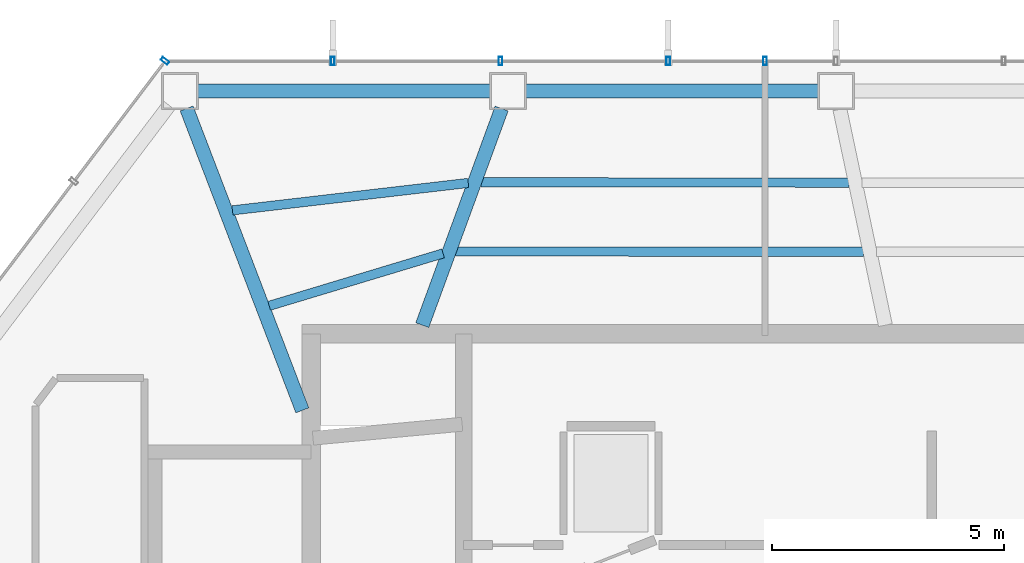
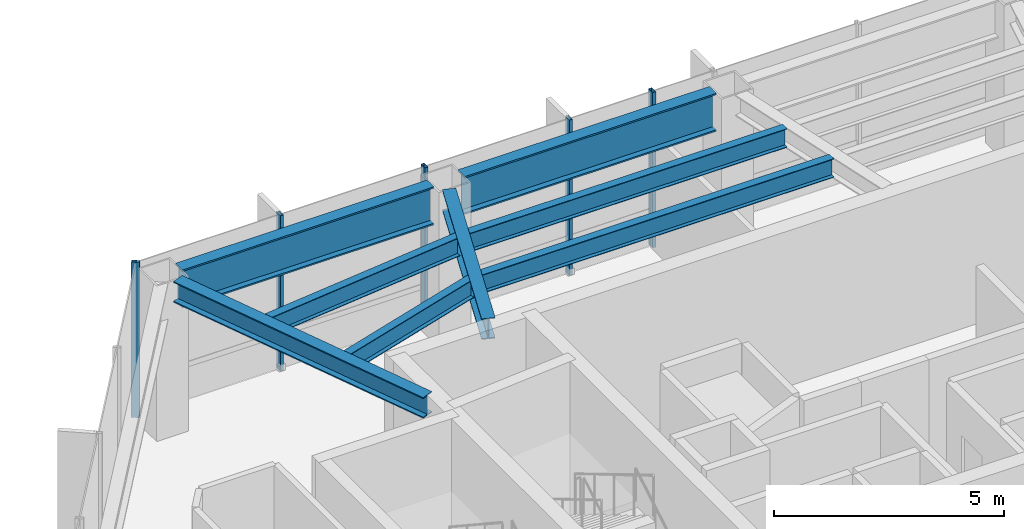
# One storey, part 11 of 27: 8 beams, 5 members, 2 elements without a shape of their own.
"""IFC4 building model written with IfcOpenShell, lengths in metres."""

from ifc_helpers import new_model, si_unit, direction, frame, origin, origin_2d, place, context, subcontext, project, spatial, hollow_rectangle, i_section, extrude, material, layer, layer_set, material_profile, profile_set, type_object, element, aggregate, save


model = new_model("IFC4")

# Units and contexts
model_context = context("Model", 3, precision=1e-05, world=origin(), true_north=direction((0.0, 1.0)))
body_context = subcontext(model_context, "Body", "Model", "MODEL_VIEW")
ifc_project = project(units=[si_unit("LENGTHUNIT", "METRE"), si_unit("AREAUNIT", "SQUARE_METRE"), si_unit("VOLUMEUNIT", "CUBIC_METRE"), si_unit("PLANEANGLEUNIT", "RADIAN"), si_unit("MASSUNIT", "GRAM", prefix="KILO")], contexts=[model_context])

# Site, building, storey
site_placement = place(None, origin())
site = spatial("IfcSite", under=ifc_project, at=site_placement, CompositionType="ELEMENT")
building_placement = place(site_placement, origin())
building = spatial("IfcBuilding", under=site, at=building_placement, Name="Zarrinselat Tower", CompositionType="ELEMENT")
storey_placement = place(building_placement, frame((0.0, 0.0, 114.580078125)))
storey = spatial("IfcBuildingStorey", under=building, at=storey_placement, Name="L27", CompositionType="ELEMENT", Elevation=114.580078125)

# Beams
ifc_material_1 = material(Name="Steel S355J2", Category="steel")
ifc_material_profile_1 = material_profile(ifc_material_1, i_section(OverallWidth=0.300048828125, OverallDepth=0.550048828125, WebThickness=0.014892578125, FlangeThickness=0.029052734375, at=origin_2d()), Name="HEB 550")
ifc_profile_set_1 = profile_set([ifc_material_profile_1], Name="Steel S355J2")
beam_type_1 = type_object("IfcBeamType", Name="BM-HEB550", PredefinedType="BEAM", material=ifc_profile_set_1)
beam_1_placement = place(storey_placement, frame((31.0, 43.639892578125, 3.844970703125), z_axis=(0.343942101957, 0.938990857517, 0.0), x_axis=(-0.938990857517, 0.343942101957, 0.0)))
element("IfcBeam", 1, at=beam_1_placement, inside=storey, type_object=beam_type_1, Name="L27 Radial Primary Girder RG04", PredefinedType="BEAM", context=body_context, shape_type="SweptSolid", body=[
    extrude(i_section(OverallWidth=0.300048828125, OverallDepth=0.550048828125, WebThickness=0.014892578125, FlangeThickness=0.029052734375, at=origin_2d()), origin(), (0.0, 0.0, 1.0), 4.98095703125),
])
beam_2_placement = place(storey_placement, frame((25.911376953125, 48.319091796875, 3.844970703125), z_axis=(0.357882146013, -0.933766764007, 0.0), x_axis=(0.933766764007, 0.357882146013, 0.0)))
element("IfcBeam", 2, at=beam_2_placement, inside=storey, type_object=beam_type_1, Name="L27 Radial Primary Girder RG05", PredefinedType="BEAM", context=body_context, shape_type="SweptSolid", body=[
    extrude(i_section(OverallWidth=0.300048828125, OverallDepth=0.550048828125, WebThickness=0.014892578125, FlangeThickness=0.029052734375, at=origin_2d()), origin(), (0.0, 0.0, 1.0), 6.9814453125),
])
ifc_material_2 = material(Name="Steel S460M", Category="steel")
ifc_material_profile_2 = material_profile(ifc_material_2, i_section(OverallWidth=0.302001953125, OverallDepth=1.008056640625, WebThickness=0.02099609375, FlangeThickness=0.0400390625, at=origin_2d()), Name="HEM 1000")
ifc_profile_set_2 = profile_set([ifc_material_profile_2], Name="Steel S460M")
beam_type_2 = type_object("IfcBeamType", Name="BM-HEM1000", PredefinedType="BEAM", material=ifc_profile_set_2)
for number, where, z_axis, x_axis, name in (
    (3, (33.239501953125, 48.6943359375, 3.615966796875), (1.0, 0.0, 0.0), (0.0, 1.0, 0.0), "L27 Perimeter Spandrel Girder SP03"),
    (4, (26.155517578125, 48.6943359375, 3.615966796875), (1.0, 0.0, 0.0), (0.0, 1.0, 0.0), "L27 Perimeter Spandrel Girder SP04"),
):
    element("IfcBeam", number, at=place(storey_placement, frame(where, z_axis=z_axis, x_axis=x_axis)), inside=storey, type_object=beam_type_2, Name=name, PredefinedType="BEAM", context=body_context, shape_type="SweptSolid", body=[
        extrude(i_section(OverallWidth=0.302001953125, OverallDepth=1.008056640625, WebThickness=0.02099609375, FlangeThickness=0.0400390625, at=origin_2d()), origin(), (0.0, 0.0, 1.0), 6.307861328125),
    ])
ifc_material_3 = material(Name="Steel S355J2", Category="steel")
ifc_material_profile_3 = material_profile(ifc_material_3, i_section(OverallWidth=0.199951171875, OverallDepth=0.5, WebThickness=0.01025390625, FlangeThickness=0.01611328125, at=origin_2d()), Name="IPE 500")
ifc_profile_set_3 = profile_set([ifc_material_profile_3], Name="Steel S355J2")
beam_type_3 = type_object("IfcBeamType", Name="BM-IPE500", PredefinedType="JOIST", material=ifc_profile_set_3)
beam_3_placement = place(storey_placement, frame((32.2705078125, 46.7265625, 3.869873046875), z_axis=(0.999999166408, -0.001291194202, 0.0), x_axis=(0.001291194202, 0.999999166408, 0.0)))
element("IfcBeam", 5, at=beam_3_placement, inside=storey, type_object=beam_type_3, Name="L27 Composite Floor Joist 8-1", PredefinedType="JOIST", context=body_context, shape_type="SweptSolid", body=[
    extrude(i_section(OverallWidth=0.199951171875, OverallDepth=0.5, WebThickness=0.01025390625, FlangeThickness=0.01611328125, at=origin_2d()), origin(), (0.0, 0.0, 1.0), 7.94140625),
])
beam_4_placement = place(storey_placement, frame((31.722412109375, 45.22998046875, 3.869873046875), z_axis=(0.999999830427, -0.00058236263, 0.0), x_axis=(0.00058236263, 0.999999830427, 0.0)))
element("IfcBeam", 6, at=beam_4_placement, inside=storey, type_object=beam_type_3, Name="L27 Composite Floor Joist 8-2", PredefinedType="JOIST", context=body_context, shape_type="SweptSolid", body=[
    extrude(i_section(OverallWidth=0.199951171875, OverallDepth=0.5, WebThickness=0.01025390625, FlangeThickness=0.01611328125, at=origin_2d()), origin(), (0.0, 0.0, 1.0), 8.8037109375),
])
beam_5_placement = place(storey_placement, frame((26.89990234375, 46.11865234375, 3.869873046875), z_axis=(0.993308015651, 0.115495394033, 0.0), x_axis=(-0.115495394033, 0.993308015651, 0.0)))
element("IfcBeam", 7, at=beam_5_placement, inside=storey, type_object=beam_type_3, Name="L27 Composite Floor Joist 9-1", PredefinedType="JOIST", context=body_context, shape_type="SweptSolid", body=[
    extrude(i_section(OverallWidth=0.199951171875, OverallDepth=0.5, WebThickness=0.01025390625, FlangeThickness=0.01611328125, at=origin_2d()), origin(), (0.0, 0.0, 1.0), 5.126220703125),
])
beam_6_placement = place(storey_placement, frame((27.694580078125, 44.056884765625, 3.869873046875), z_axis=(0.957358907905, 0.288901231314, 0.0), x_axis=(-0.288901231314, 0.957358907905, 0.0)))
element("IfcBeam", 8, at=beam_6_placement, inside=storey, type_object=beam_type_3, Name="L27 Composite Floor Joist 9-2", PredefinedType="JOIST", context=body_context, shape_type="SweptSolid", body=[
    extrude(i_section(OverallWidth=0.199951171875, OverallDepth=0.5, WebThickness=0.01025390625, FlangeThickness=0.01611328125, at=origin_2d()), origin(), (0.0, 0.0, 1.0), 3.921142578125),
])

# Curtain wall, member
ifc_material_4 = material(Name="Extruded Aluminium Alloy EN AW-6063 T6", Category="aluminium")
ifc_layer = layer(ifc_material_4, 0.195068359375)
ifc_layer_set = layer_set([ifc_layer], Name="Extruded Aluminium Alloy EN AW-6063 T6")
curtain_wall_type = type_object("IfcCurtainWallType", Name="CWS-GDN", PredefinedType="NOTDEFINED", material=ifc_layer_set)
curtain_wall_1_placement = place(storey_placement, origin())
curtain_wall_1 = element("IfcCurtainWall", 9, at=curtain_wall_1_placement, inside=storey, type_object=curtain_wall_type, Name="L27 Unitised Curtain Wall CW-L27-E03", PredefinedType="NOTDEFINED")
ifc_material_5 = material(Name="Extruded Aluminium Alloy EN AW-6063 T6", Category="aluminium")
ifc_material_profile_4 = material_profile(ifc_material_5, hollow_rectangle(XDim=0.080078125, YDim=0.179931640625, WallThickness=0.0048828125, at=origin_2d()), Name="RHS 180x80x5")
ifc_profile_set_4 = profile_set([ifc_material_profile_4], Name="Extruded Aluminium Alloy EN AW-6063 T6")
member_type = type_object("IfcMemberType", Name="MEM-CW-MUL", PredefinedType="MULLION", material=ifc_profile_set_4)
member_1_placement = place(storey_placement, frame((25.4443359375, 49.344482421875, 0.0), z_axis=(0.0, 0.0, 1.0), x_axis=(0.603856508336, 0.797093041834, 0.0)))
member_1 = element("IfcMember", 10, at=member_1_placement, type_object=member_type, Name="CW-L27-E03 Mullion 5", PredefinedType="MULLION", context=body_context, shape_type="SweptSolid", body=[
    extrude(hollow_rectangle(XDim=0.080078125, YDim=0.179931640625, WallThickness=0.0048828125, at=origin_2d()), origin(), (0.0, 0.0, 1.0), 4.119873046875),
])
aggregate(curtain_wall_1, [member_1])

# Curtain wall, members
curtain_wall_2_placement = place(storey_placement, origin())
curtain_wall_2 = element("IfcCurtainWall", 11, at=curtain_wall_2_placement, inside=storey, type_object=curtain_wall_type, Name="L27 Unitised Curtain Wall CW-L27-E04", PredefinedType="NOTDEFINED")
member_2_placement = place(storey_placement, frame((29.067138671875, 49.344482421875, 0.0), z_axis=(0.0, 0.0, 1.0), x_axis=(1.0, 0.0, 0.0)))
member_2 = element("IfcMember", 12, at=member_2_placement, type_object=member_type, Name="CW-L27-E04 Mullion 1", PredefinedType="MULLION", context=body_context, shape_type="SweptSolid", body=[
    extrude(hollow_rectangle(XDim=0.080078125, YDim=0.179931640625, WallThickness=0.0048828125, at=origin_2d()), origin(), (0.0, 0.0, 1.0), 4.119873046875),
])
member_3_placement = place(storey_placement, frame((32.68994140625, 49.344482421875, 0.0), z_axis=(0.0, 0.0, 1.0), x_axis=(1.0, 0.0, 0.0)))
member_3 = element("IfcMember", 13, at=member_3_placement, type_object=member_type, Name="CW-L27-E04 Mullion 2", PredefinedType="MULLION", context=body_context, shape_type="SweptSolid", body=[
    extrude(hollow_rectangle(XDim=0.080078125, YDim=0.179931640625, WallThickness=0.0048828125, at=origin_2d()), origin(), (0.0, 0.0, 1.0), 4.119873046875),
])
member_4_placement = place(storey_placement, frame((36.3125, 49.344482421875, 0.0), z_axis=(0.0, 0.0, 1.0), x_axis=(1.0, 0.0, 0.0)))
member_4 = element("IfcMember", 14, at=member_4_placement, type_object=member_type, Name="CW-L27-E04 Mullion 3", PredefinedType="MULLION", context=body_context, shape_type="SweptSolid", body=[
    extrude(hollow_rectangle(XDim=0.080078125, YDim=0.179931640625, WallThickness=0.0048828125, at=origin_2d()), origin(), (0.0, 0.0, 1.0), 4.119873046875),
])
member_5_placement = place(storey_placement, frame((38.39990234375, 49.344482421875, 0.0), z_axis=(0.0, 0.0, 1.0), x_axis=(1.0, 0.0, 0.0)))
member_5 = element("IfcMember", 15, at=member_5_placement, type_object=member_type, Name="CW-L27-E04 Mullion 4", PredefinedType="MULLION", context=body_context, shape_type="SweptSolid", body=[
    extrude(hollow_rectangle(XDim=0.080078125, YDim=0.179931640625, WallThickness=0.0048828125, at=origin_2d()), origin(), (0.0, 0.0, 1.0), 4.119873046875),
])
aggregate(curtain_wall_2, [member_2, member_3, member_4, member_5])

save(model, "model.ifc")
